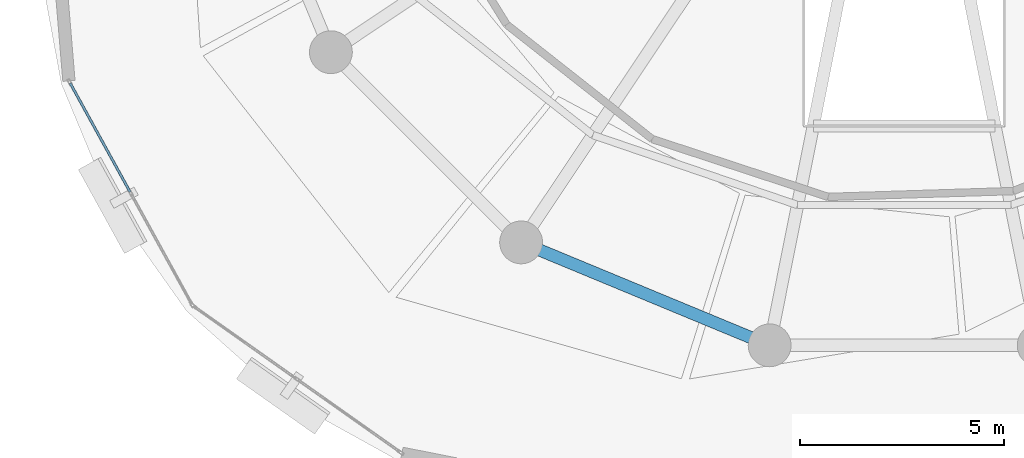
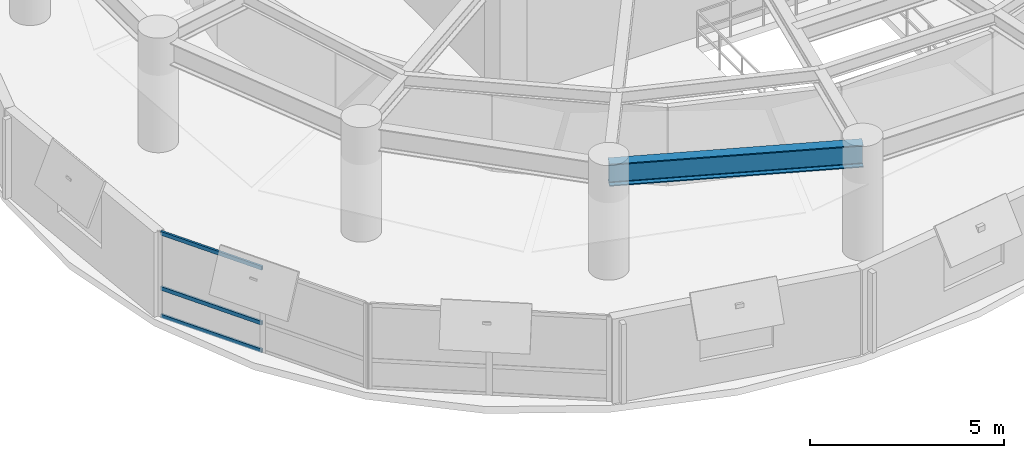
# One storey, part 3 of 12: 3 members, 1 beam, 1 element without a shape of its own.
"""IFC4 building model written with IfcOpenShell, lengths in metres."""

from ifc_helpers import new_model, si_unit, direction, frame, origin, origin_2d, place, context, subcontext, project, spatial, hollow_rectangle, i_section, extrude, material, layer, layer_set, material_profile, profile_set, type_object, element, aggregate, save


model = new_model("IFC4")

# Units and contexts
model_context = context("Model", 3, precision=1e-05, world=origin(), true_north=direction((0.0, 1.0)))
body_context = subcontext(model_context, "Body", "Model", "MODEL_VIEW")
ifc_project = project(units=[si_unit("LENGTHUNIT", "METRE"), si_unit("AREAUNIT", "SQUARE_METRE"), si_unit("VOLUMEUNIT", "CUBIC_METRE"), si_unit("PLANEANGLEUNIT", "RADIAN"), si_unit("MASSUNIT", "GRAM", prefix="KILO"), si_unit("THERMODYNAMICTEMPERATUREUNIT", "KELVIN"), si_unit("POWERUNIT", "WATT")], contexts=[model_context])

# Site, building, storey
site_placement = place(None, origin())
site = spatial("IfcSite", under=ifc_project, at=site_placement, CompositionType="ELEMENT")
building_placement = place(site_placement, origin())
building = spatial("IfcBuilding", under=site, at=building_placement, Name="Ocrelia Relay Tower", CompositionType="ELEMENT")
storey_placement = place(building_placement, frame((0.0, 0.0, 206.0)))
storey = spatial("IfcBuildingStorey", under=building, at=storey_placement, Name="L50", CompositionType="ELEMENT", Elevation=206.0)

# Beam
ifc_material_1 = material(Name="Steel S355", Category="steel")
ifc_material_profile_1 = material_profile(ifc_material_1, i_section(OverallWidth=0.300048828125, OverallDepth=0.699951171875, WebThickness=0.01708984375, FlangeThickness=0.031982421875, FilletRadius=0.027099609375, at=origin_2d()), Name="HEB 700")
ifc_profile_set_1 = profile_set([ifc_material_profile_1], Name="Steel S355")
beam_type = type_object("IfcBeamType", Name="BM-HEB700", PredefinedType="BEAM", material=ifc_profile_set_1)
beam_placement = place(storey_placement, frame((24.61083984375, 11.9482421875, 3.030029296875), z_axis=(0.923877844151, -0.382687508402, 0.0), x_axis=(0.382687508402, 0.923877844151, 0.0)))
element("IfcBeam", 1, at=beam_placement, inside=storey, type_object=beam_type, Name="L50 Perimeter Spandrel Beam S11", PredefinedType="BEAM", context=body_context, shape_type="SweptSolid", body=[
    extrude(i_section(OverallWidth=0.300048828125, OverallDepth=0.699951171875, WebThickness=0.01708984375, FlangeThickness=0.031982421875, FilletRadius=0.027099609375, at=origin_2d()), origin(), (0.0, 0.0, 1.0), 6.593994140625),
])

# Curtain wall, members
ifc_material_2 = material(Name="Aluminium and solar-control low-E glass", Category="aluminium")
ifc_layer = layer(ifc_material_2, 0.179931640625, Name="Aluminium and solar-control low-E glass")
ifc_layer_set = layer_set([ifc_layer], Name="Aluminium and solar-control low-E glass")
curtain_wall_type = type_object("IfcCurtainWallType", Name="CW-SYS-Z3-CLOU", PredefinedType="NOTDEFINED", material=ifc_layer_set)
curtain_wall_placement = place(storey_placement, origin())
curtain_wall = element("IfcCurtainWall", 2, at=curtain_wall_placement, inside=storey, type_object=curtain_wall_type, Name="L50 Elliptical Tower Curtain Wall Bay 09", PredefinedType="NOTDEFINED")
ifc_material_3 = material(Name="Anodised bronze aluminium", Category="aluminium")
ifc_material_profile_2 = material_profile(ifc_material_3, hollow_rectangle(XDim=0.06005859375, YDim=0.1201171875, WallThickness=0.0048828125, at=origin_2d()), Name="CW-TRN-120x60")
ifc_profile_set_2 = profile_set([ifc_material_profile_2], Name="Anodised bronze aluminium")
member_type = type_object("IfcMemberType", Name="CW-SYS-Z3-CLOU-TRN", PredefinedType="USERDEFINED", material=ifc_profile_set_2)
member_1_placement = place(storey_placement, frame((13.55859375, 15.850830078125, 0.030029296875), z_axis=(0.482029585273, -0.87615494002, 0.0), x_axis=(0.87615494002, 0.482029585273, 0.0)))
member_1 = element("IfcMember", 3, at=member_1_placement, type_object=member_type, Name="CW-Z3 transom 1.1", ObjectType="TRANSOM", PredefinedType="USERDEFINED", context=body_context, shape_type="SweptSolid", body=[
    extrude(hollow_rectangle(XDim=0.06005859375, YDim=0.1201171875, WallThickness=0.0048828125, at=origin_2d()), origin(), (0.0, 0.0, 1.0), 3.0439453125),
])
member_2_placement = place(storey_placement, frame((13.55859375, 15.850830078125, 0.89990234375), z_axis=(0.482029585273, -0.87615494002, 0.0), x_axis=(0.87615494002, 0.482029585273, 0.0)))
member_2 = element("IfcMember", 4, at=member_2_placement, type_object=member_type, Name="CW-Z3 transom 1.2", ObjectType="TRANSOM", PredefinedType="USERDEFINED", context=body_context, shape_type="SweptSolid", body=[
    extrude(hollow_rectangle(XDim=0.06005859375, YDim=0.1201171875, WallThickness=0.0048828125, at=origin_2d()), origin(), (0.0, 0.0, 1.0), 3.0439453125),
])
member_3_placement = place(storey_placement, frame((13.55859375, 15.850830078125, 2.6298828125), z_axis=(0.482029585273, -0.87615494002, 0.0), x_axis=(0.87615494002, 0.482029585273, 0.0)))
member_3 = element("IfcMember", 5, at=member_3_placement, type_object=member_type, Name="CW-Z3 transom 1.3", ObjectType="TRANSOM", PredefinedType="USERDEFINED", context=body_context, shape_type="SweptSolid", body=[
    extrude(hollow_rectangle(XDim=0.06005859375, YDim=0.1201171875, WallThickness=0.0048828125, at=origin_2d()), origin(), (0.0, 0.0, 1.0), 3.0439453125),
])
aggregate(curtain_wall, [member_1, member_2, member_3])

save(model, "model.ifc")
